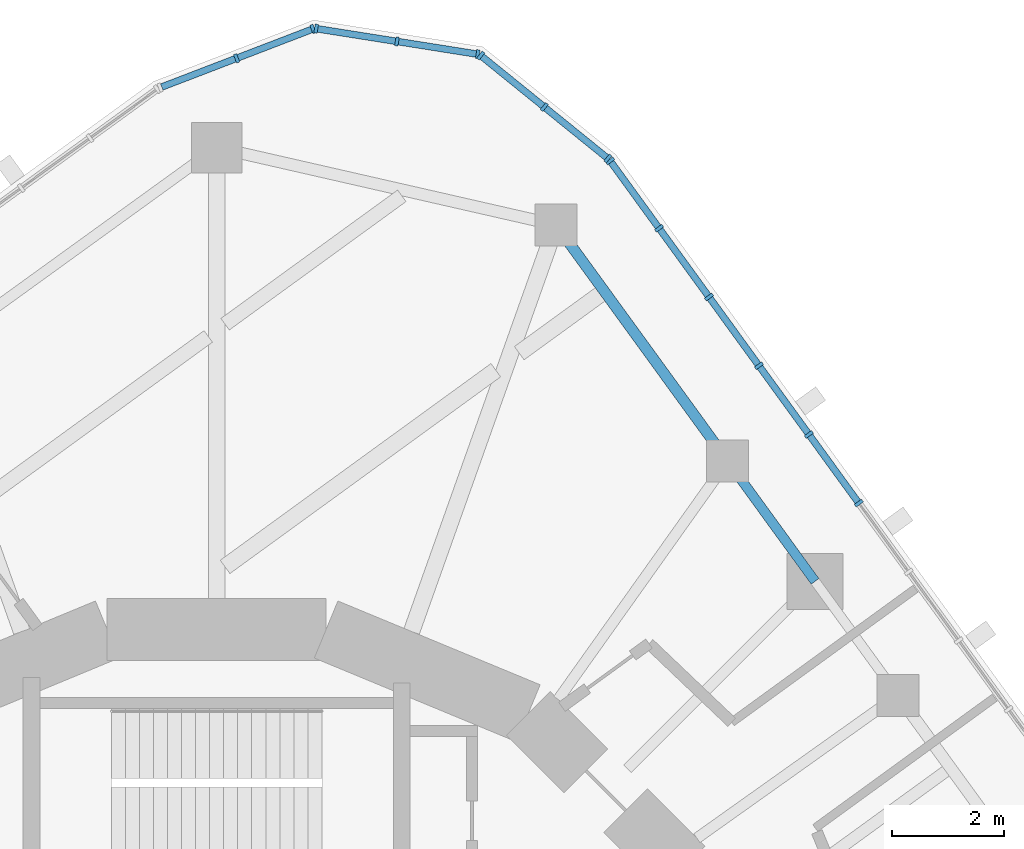
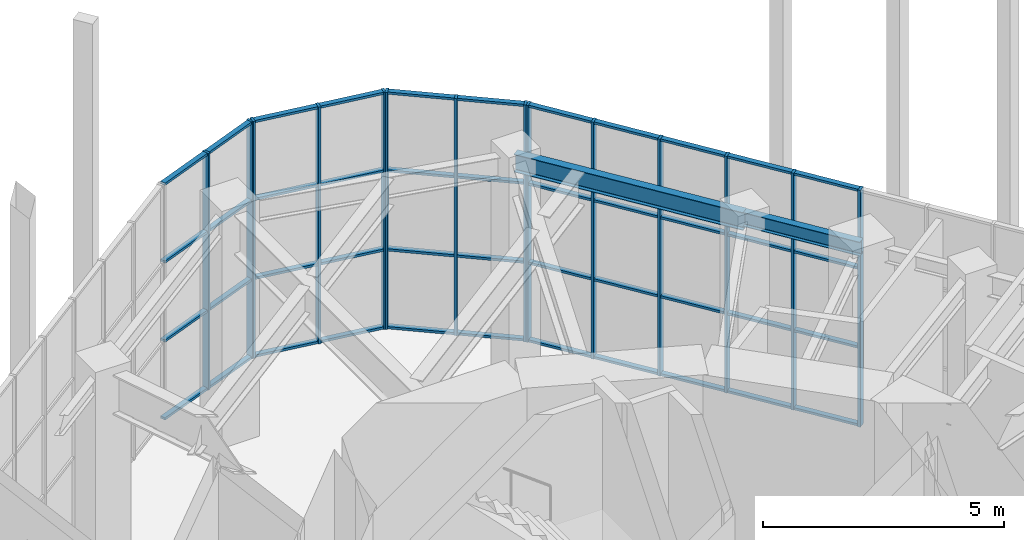
# One storey, part 10 of 17: 58 members, 2 beams, 4 elements without a shape of their own.
"""IFC4 building model written with IfcOpenShell, lengths in metres."""

from ifc_helpers import new_model, si_unit, direction, frame, origin, origin_2d, place, context, subcontext, project, spatial, rectangle, i_section, extrude, material, material_profile, profile_set, type_object, element, aggregate, save


model = new_model("IFC4")

# Units and contexts
model_context = context("Model", 3, precision=1e-05, world=origin(), true_north=direction((0.0, 1.0)))
body_context = subcontext(model_context, "Body", "Model", "MODEL_VIEW")
ifc_project = project(units=[si_unit("LENGTHUNIT", "METRE"), si_unit("AREAUNIT", "SQUARE_METRE"), si_unit("VOLUMEUNIT", "CUBIC_METRE"), si_unit("PLANEANGLEUNIT", "RADIAN"), si_unit("MASSUNIT", "GRAM", prefix="KILO")], contexts=[model_context])

# Site, building, storey
site_placement = place(None, origin())
site = spatial("IfcSite", under=ifc_project, at=site_placement, CompositionType="ELEMENT")
building_placement = place(site_placement, origin())
building = spatial("IfcBuilding", under=site, at=building_placement, Name="Nakasero Lantern House", CompositionType="ELEMENT")
storey_placement = place(building_placement, frame((0.0, 0.0, 298.39990234375)))
storey = spatial("IfcBuildingStorey", under=building, at=storey_placement, Name="L73", CompositionType="ELEMENT", Elevation=298.39990234375)

# Curtain wall, members
ifc_material_1 = material(Name="Aluminium 6063-T6 and glass", Category="aluminium")
curtain_wall_type = type_object("IfcCurtainWallType", Name="Lantern glazing CW-4", PredefinedType="USERDEFINED", material=ifc_material_1)
curtain_wall_1_placement = place(storey_placement, origin())
curtain_wall_1 = element("IfcCurtainWall", 1, at=curtain_wall_1_placement, inside=storey, type_object=curtain_wall_type, Name="Curtain wall CW-4 L73", ObjectType="UNITISED CURTAIN WALL", PredefinedType="USERDEFINED")
ifc_material_2 = material(Name="Aluminium 6063-T6", Category="aluminium")
ifc_material_profile_1 = material_profile(ifc_material_2, rectangle(XDim=0.06005859375, YDim=0.159912109375, at=origin_2d()), Name="CW-4 mullion 60x160")
ifc_profile_set_1 = profile_set([ifc_material_profile_1], Name="Aluminium 6063-T6")
member_type_1 = type_object("IfcMemberType", Name="Mullion CW-4", PredefinedType="MULLION", material=ifc_profile_set_1)
member_1_placement = place(storey_placement, frame((11.447265625, 12.060546875, 0.0), z_axis=(0.0, 0.0, 1.0), x_axis=(-0.587785252292, 0.809016994375, 0.0)))
member_1 = element("IfcMember", 2, at=member_1_placement, type_object=member_type_1, Name="CW-4 mullion 10", PredefinedType="MULLION", context=body_context, shape_type="SweptSolid", body=[
    extrude(rectangle(XDim=0.06005859375, YDim=0.159912109375, at=origin_2d()), origin(), (0.0, 0.0, 1.0), 6.0),
])
member_2_placement = place(storey_placement, frame((10.55712890625, 13.28564453125, 0.0), z_axis=(0.0, 0.0, 1.0), x_axis=(-0.587785252292, 0.809016994375, 0.0)))
member_2 = element("IfcMember", 3, at=member_2_placement, type_object=member_type_1, Name="CW-4 mullion 11", PredefinedType="MULLION", context=body_context, shape_type="SweptSolid", body=[
    extrude(rectangle(XDim=0.06005859375, YDim=0.159912109375, at=origin_2d()), origin(), (0.0, 0.0, 1.0), 6.0),
])
member_3_placement = place(storey_placement, frame((9.667236328125, 14.5107421875, 0.0), z_axis=(0.0, 0.0, 1.0), x_axis=(-0.587785252292, 0.809016994375, 0.0)))
member_3 = element("IfcMember", 4, at=member_3_placement, type_object=member_type_1, Name="CW-4 mullion 12", PredefinedType="MULLION", context=body_context, shape_type="SweptSolid", body=[
    extrude(rectangle(XDim=0.06005859375, YDim=0.159912109375, at=origin_2d()), origin(), (0.0, 0.0, 1.0), 6.0),
])
member_4_placement = place(storey_placement, frame((8.777099609375, 15.735595703125, 0.0), z_axis=(0.0, 0.0, 1.0), x_axis=(-0.587785252292, 0.809016994375, 0.0)))
member_4 = element("IfcMember", 5, at=member_4_placement, type_object=member_type_1, Name="CW-4 mullion 13", PredefinedType="MULLION", context=body_context, shape_type="SweptSolid", body=[
    extrude(rectangle(XDim=0.06005859375, YDim=0.159912109375, at=origin_2d()), origin(), (0.0, 0.0, 1.0), 6.0),
])
member_5_placement = place(storey_placement, frame((7.886962890625, 16.960693359375, 0.0), z_axis=(0.0, 0.0, 1.0), x_axis=(-0.587785252292, 0.809016994375, 0.0)))
member_5 = element("IfcMember", 6, at=member_5_placement, type_object=member_type_1, Name="CW-4 mullion 14", PredefinedType="MULLION", context=body_context, shape_type="SweptSolid", body=[
    extrude(rectangle(XDim=0.06005859375, YDim=0.159912109375, at=origin_2d()), origin(), (0.0, 0.0, 1.0), 6.0),
])
member_6_placement = place(storey_placement, frame((7.0146484375, 18.16162109375, 0.0), z_axis=(0.0, 0.0, 1.0), x_axis=(-0.587785252292, 0.809016994375, 0.0)))
member_6 = element("IfcMember", 7, at=member_6_placement, type_object=member_type_1, Name="CW-4 mullion 15", PredefinedType="MULLION", context=body_context, shape_type="SweptSolid", body=[
    extrude(rectangle(XDim=0.06005859375, YDim=0.159912109375, at=origin_2d()), origin(), (0.0, 0.0, 1.0), 6.0),
])

curtain_wall_2_placement = place(storey_placement, origin())
curtain_wall_2 = element("IfcCurtainWall", 8, at=curtain_wall_2_placement, inside=storey, type_object=curtain_wall_type, Name="Curtain wall CW-4 L73", ObjectType="UNITISED CURTAIN WALL", PredefinedType="USERDEFINED")
member_7_placement = place(storey_placement, frame((6.9736328125, 18.204833984375, 0.0), z_axis=(0.0, 0.0, 1.0), x_axis=(-0.777145961457, 0.62932039105, 0.0)))
member_7 = element("IfcMember", 9, at=member_7_placement, type_object=member_type_1, Name="CW-4 mullion 1", PredefinedType="MULLION", context=body_context, shape_type="SweptSolid", body=[
    extrude(rectangle(XDim=0.06005859375, YDim=0.159912109375, at=origin_2d()), origin(), (0.0, 0.0, 1.0), 6.0),
])
member_8_placement = place(storey_placement, frame((5.84033203125, 19.122314453125, 0.0), z_axis=(0.0, 0.0, 1.0), x_axis=(-0.777145961457, 0.62932039105, 0.0)))
member_8 = element("IfcMember", 10, at=member_8_placement, type_object=member_type_1, Name="CW-4 mullion 2", PredefinedType="MULLION", context=body_context, shape_type="SweptSolid", body=[
    extrude(rectangle(XDim=0.06005859375, YDim=0.159912109375, at=origin_2d()), origin(), (0.0, 0.0, 1.0), 6.0),
])
member_9_placement = place(storey_placement, frame((4.70703125, 20.0400390625, 0.0), z_axis=(0.0, 0.0, 1.0), x_axis=(-0.777145961457, 0.62932039105, 0.0)))
member_9 = element("IfcMember", 11, at=member_9_placement, type_object=member_type_1, Name="CW-4 mullion 3", PredefinedType="MULLION", context=body_context, shape_type="SweptSolid", body=[
    extrude(rectangle(XDim=0.06005859375, YDim=0.159912109375, at=origin_2d()), origin(), (0.0, 0.0, 1.0), 6.0),
])

curtain_wall_3_placement = place(storey_placement, origin())
curtain_wall_3 = element("IfcCurtainWall", 12, at=curtain_wall_3_placement, inside=storey, type_object=curtain_wall_type, Name="Curtain wall CW-4 L73", ObjectType="UNITISED CURTAIN WALL", PredefinedType="USERDEFINED")
member_10_placement = place(storey_placement, frame((4.654052734375, 20.063720703125, 0.0), z_axis=(0.0, 0.0, 1.0), x_axis=(-0.987688340595, 0.15643446504, 0.0)))
member_10 = element("IfcMember", 13, at=member_10_placement, type_object=member_type_1, Name="CW-4 mullion 1", PredefinedType="MULLION", context=body_context, shape_type="SweptSolid", body=[
    extrude(rectangle(XDim=0.06005859375, YDim=0.159912109375, at=origin_2d()), origin(), (0.0, 0.0, 1.0), 6.0),
])
member_11_placement = place(storey_placement, frame((3.2138671875, 20.291748046875, 0.0), z_axis=(0.0, 0.0, 1.0), x_axis=(-0.987688340595, 0.15643446504, 0.0)))
member_11 = element("IfcMember", 14, at=member_11_placement, type_object=member_type_1, Name="CW-4 mullion 2", PredefinedType="MULLION", context=body_context, shape_type="SweptSolid", body=[
    extrude(rectangle(XDim=0.06005859375, YDim=0.159912109375, at=origin_2d()), origin(), (0.0, 0.0, 1.0), 6.0),
])
member_12_placement = place(storey_placement, frame((1.773681640625, 20.52001953125, 0.0), z_axis=(0.0, 0.0, 1.0), x_axis=(-0.987688340595, 0.15643446504, 0.0)))
member_12 = element("IfcMember", 15, at=member_12_placement, type_object=member_type_1, Name="CW-4 mullion 3", PredefinedType="MULLION", context=body_context, shape_type="SweptSolid", body=[
    extrude(rectangle(XDim=0.06005859375, YDim=0.159912109375, at=origin_2d()), origin(), (0.0, 0.0, 1.0), 6.0),
])

curtain_wall_4_placement = place(storey_placement, origin())
curtain_wall_4 = element("IfcCurtainWall", 16, at=curtain_wall_4_placement, inside=storey, type_object=curtain_wall_type, Name="Curtain wall CW-4 L73", ObjectType="UNITISED CURTAIN WALL", PredefinedType="USERDEFINED")
member_13_placement = place(storey_placement, frame((1.716064453125, 20.513916015625, 0.0), z_axis=(0.0, 0.0, 1.0), x_axis=(-0.933580426497, -0.358367949545, 0.0)))
member_13 = element("IfcMember", 17, at=member_13_placement, type_object=member_type_1, Name="CW-4 mullion 1", PredefinedType="MULLION", context=body_context, shape_type="SweptSolid", body=[
    extrude(rectangle(XDim=0.06005859375, YDim=0.159912109375, at=origin_2d()), origin(), (0.0, 0.0, 1.0), 6.0),
])
member_14_placement = place(storey_placement, frame((0.354736328125, 19.9912109375, 0.0), z_axis=(0.0, 0.0, 1.0), x_axis=(-0.933580426497, -0.358367949545, 0.0)))
member_14 = element("IfcMember", 18, at=member_14_placement, type_object=member_type_1, Name="CW-4 mullion 2", PredefinedType="MULLION", context=body_context, shape_type="SweptSolid", body=[
    extrude(rectangle(XDim=0.06005859375, YDim=0.159912109375, at=origin_2d()), origin(), (0.0, 0.0, 1.0), 6.0),
])

# Beams
ifc_material_3 = material(Name="Steel S355", Category="steel")
ifc_material_profile_2 = material_profile(ifc_material_3, i_section(OverallWidth=0.17138671875, OverallDepth=0.35498046875, WebThickness=0.00732421875, FlangeThickness=0.011474609375, FilletRadius=0.01025390625, at=origin_2d()), Name="UB 356x171x51")
ifc_profile_set_2 = profile_set([ifc_material_profile_2], Name="Steel S355")
beam_type_1 = type_object("IfcBeamType", Name="Ring beam UB 356x171x51", PredefinedType="BEAM", material=ifc_profile_set_2)
beam_1_placement = place(storey_placement, frame((10.667236328125, 10.667236328125, 5.62255859375), z_axis=(-0.587782635143, 0.809018895839, 0.0), x_axis=(-0.809018895839, -0.587782635143, 0.0)))
element("IfcBeam", 19, at=beam_1_placement, inside=storey, type_object=beam_type_1, Name="Ring beam L74 B7-C06", PredefinedType="BEAM", context=body_context, shape_type="SweptSolid", body=[
    extrude(i_section(OverallWidth=0.17138671875, OverallDepth=0.35498046875, WebThickness=0.00732421875, FlangeThickness=0.011474609375, FilletRadius=0.01025390625, at=origin_2d()), origin(), (0.0, 0.0, 1.0), 2.649658203125),
])
ifc_material_4 = material(Name="Steel S355", Category="steel")
ifc_material_profile_3 = material_profile(ifc_material_4, i_section(OverallWidth=0.18994140625, OverallDepth=0.453369140625, WebThickness=0.008544921875, FlangeThickness=0.0126953125, FilletRadius=0.01025390625, at=origin_2d()), Name="UB 457x191x67")
ifc_profile_set_3 = profile_set([ifc_material_profile_3], Name="Steel S355")
beam_type_2 = type_object("IfcBeamType", Name="Ring beam UB 457x191x67", PredefinedType="BEAM", material=ifc_profile_set_3)
beam_2_placement = place(storey_placement, frame((9.10986328125, 12.810791015625, 5.573486328125), z_axis=(-0.587806144414, 0.809001814948, 0.0), x_axis=(-0.809001814948, -0.587806144414, 0.0)))
element("IfcBeam", 20, at=beam_2_placement, inside=storey, type_object=beam_type_2, Name="Ring beam L74 B7-C07", PredefinedType="BEAM", context=body_context, shape_type="SweptSolid", body=[
    extrude(i_section(OverallWidth=0.18994140625, OverallDepth=0.453369140625, WebThickness=0.008544921875, FlangeThickness=0.0126953125, FilletRadius=0.01025390625, at=origin_2d()), origin(), (0.0, 0.0, 1.0), 5.202880859375),
])

# Member
ifc_material_5 = material(Name="Aluminium 6063-T6", Category="aluminium")
ifc_material_profile_4 = material_profile(ifc_material_5, rectangle(XDim=0.06005859375, YDim=0.1201171875, at=origin_2d()), Name="CW-4 transom 60x120")
ifc_profile_set_4 = profile_set([ifc_material_profile_4], Name="Aluminium 6063-T6")
member_type_2 = type_object("IfcMemberType", Name="Transom CW-4", PredefinedType="USERDEFINED", material=ifc_profile_set_4)
member_15_placement = place(storey_placement, frame((11.4296875, 12.084716796875, 0.030029296875), z_axis=(-0.587762348068, 0.809033634773, 0.0), x_axis=(0.0, 0.0, 1.0)))
member_15 = element("IfcMember", 21, at=member_15_placement, type_object=member_type_2, Name="CW-4 transom 10.1", ObjectType="TRANSOM", PredefinedType="USERDEFINED", context=body_context, shape_type="SweptSolid", body=[
    extrude(rectangle(XDim=0.06005859375, YDim=0.1201171875, at=origin_2d()), origin(), (0.0, 0.0, 1.0), 1.4541015625),
])

member_16_placement = place(storey_placement, frame((11.4296875, 12.084716796875, 2.0), z_axis=(-0.587762348068, 0.809033634773, 0.0), x_axis=(0.0, 0.0, 1.0)))
member_16 = element("IfcMember", 22, at=member_16_placement, type_object=member_type_2, Name="CW-4 transom 10.2", ObjectType="TRANSOM", PredefinedType="USERDEFINED", context=body_context, shape_type="SweptSolid", body=[
    extrude(rectangle(XDim=0.06005859375, YDim=0.1201171875, at=origin_2d()), origin(), (0.0, 0.0, 1.0), 1.4541015625),
])

member_17_placement = place(storey_placement, frame((11.4296875, 12.084716796875, 4.0), z_axis=(-0.587762348068, 0.809033634773, 0.0), x_axis=(0.0, 0.0, 1.0)))
member_17 = element("IfcMember", 23, at=member_17_placement, type_object=member_type_2, Name="CW-4 transom 10.3", ObjectType="TRANSOM", PredefinedType="USERDEFINED", context=body_context, shape_type="SweptSolid", body=[
    extrude(rectangle(XDim=0.06005859375, YDim=0.1201171875, at=origin_2d()), origin(), (0.0, 0.0, 1.0), 1.4541015625),
])

member_18_placement = place(storey_placement, frame((11.4296875, 12.084716796875, 5.97021484375), z_axis=(-0.587762348068, 0.809033634773, 0.0), x_axis=(0.0, 0.0, 1.0)))
member_18 = element("IfcMember", 24, at=member_18_placement, type_object=member_type_2, Name="CW-4 transom 10.4", ObjectType="TRANSOM", PredefinedType="USERDEFINED", context=body_context, shape_type="SweptSolid", body=[
    extrude(rectangle(XDim=0.06005859375, YDim=0.1201171875, at=origin_2d()), origin(), (0.0, 0.0, 1.0), 1.4541015625),
])

member_19_placement = place(storey_placement, frame((10.53955078125, 13.309814453125, 0.030029296875), z_axis=(-0.587762348068, 0.809033634773, 0.0), x_axis=(0.0, 0.0, 1.0)))
member_19 = element("IfcMember", 25, at=member_19_placement, type_object=member_type_2, Name="CW-4 transom 11.1", ObjectType="TRANSOM", PredefinedType="USERDEFINED", context=body_context, shape_type="SweptSolid", body=[
    extrude(rectangle(XDim=0.06005859375, YDim=0.1201171875, at=origin_2d()), origin(), (0.0, 0.0, 1.0), 1.4541015625),
])

member_20_placement = place(storey_placement, frame((10.53955078125, 13.309814453125, 2.0), z_axis=(-0.587762348068, 0.809033634773, 0.0), x_axis=(0.0, 0.0, 1.0)))
member_20 = element("IfcMember", 26, at=member_20_placement, type_object=member_type_2, Name="CW-4 transom 11.2", ObjectType="TRANSOM", PredefinedType="USERDEFINED", context=body_context, shape_type="SweptSolid", body=[
    extrude(rectangle(XDim=0.06005859375, YDim=0.1201171875, at=origin_2d()), origin(), (0.0, 0.0, 1.0), 1.4541015625),
])

member_21_placement = place(storey_placement, frame((10.53955078125, 13.309814453125, 4.0), z_axis=(-0.587762348068, 0.809033634773, 0.0), x_axis=(0.0, 0.0, 1.0)))
member_21 = element("IfcMember", 27, at=member_21_placement, type_object=member_type_2, Name="CW-4 transom 11.3", ObjectType="TRANSOM", PredefinedType="USERDEFINED", context=body_context, shape_type="SweptSolid", body=[
    extrude(rectangle(XDim=0.06005859375, YDim=0.1201171875, at=origin_2d()), origin(), (0.0, 0.0, 1.0), 1.4541015625),
])

member_22_placement = place(storey_placement, frame((10.53955078125, 13.309814453125, 5.97021484375), z_axis=(-0.587762348068, 0.809033634773, 0.0), x_axis=(0.0, 0.0, 1.0)))
member_22 = element("IfcMember", 28, at=member_22_placement, type_object=member_type_2, Name="CW-4 transom 11.4", ObjectType="TRANSOM", PredefinedType="USERDEFINED", context=body_context, shape_type="SweptSolid", body=[
    extrude(rectangle(XDim=0.06005859375, YDim=0.1201171875, at=origin_2d()), origin(), (0.0, 0.0, 1.0), 1.4541015625),
])

member_23_placement = place(storey_placement, frame((9.6494140625, 14.534912109375, 0.030029296875), z_axis=(-0.587762348068, 0.809033634773, 0.0), x_axis=(0.0, 0.0, 1.0)))
member_23 = element("IfcMember", 29, at=member_23_placement, type_object=member_type_2, Name="CW-4 transom 12.1", ObjectType="TRANSOM", PredefinedType="USERDEFINED", context=body_context, shape_type="SweptSolid", body=[
    extrude(rectangle(XDim=0.06005859375, YDim=0.1201171875, at=origin_2d()), origin(), (0.0, 0.0, 1.0), 1.4541015625),
])

member_24_placement = place(storey_placement, frame((9.6494140625, 14.534912109375, 2.0), z_axis=(-0.587762348068, 0.809033634773, 0.0), x_axis=(0.0, 0.0, 1.0)))
member_24 = element("IfcMember", 30, at=member_24_placement, type_object=member_type_2, Name="CW-4 transom 12.2", ObjectType="TRANSOM", PredefinedType="USERDEFINED", context=body_context, shape_type="SweptSolid", body=[
    extrude(rectangle(XDim=0.06005859375, YDim=0.1201171875, at=origin_2d()), origin(), (0.0, 0.0, 1.0), 1.4541015625),
])

member_25_placement = place(storey_placement, frame((9.6494140625, 14.534912109375, 4.0), z_axis=(-0.587762348068, 0.809033634773, 0.0), x_axis=(0.0, 0.0, 1.0)))
member_25 = element("IfcMember", 31, at=member_25_placement, type_object=member_type_2, Name="CW-4 transom 12.3", ObjectType="TRANSOM", PredefinedType="USERDEFINED", context=body_context, shape_type="SweptSolid", body=[
    extrude(rectangle(XDim=0.06005859375, YDim=0.1201171875, at=origin_2d()), origin(), (0.0, 0.0, 1.0), 1.4541015625),
])

member_26_placement = place(storey_placement, frame((9.6494140625, 14.534912109375, 5.97021484375), z_axis=(-0.587762348068, 0.809033634773, 0.0), x_axis=(0.0, 0.0, 1.0)))
member_26 = element("IfcMember", 32, at=member_26_placement, type_object=member_type_2, Name="CW-4 transom 12.4", ObjectType="TRANSOM", PredefinedType="USERDEFINED", context=body_context, shape_type="SweptSolid", body=[
    extrude(rectangle(XDim=0.06005859375, YDim=0.1201171875, at=origin_2d()), origin(), (0.0, 0.0, 1.0), 1.4541015625),
])

member_27_placement = place(storey_placement, frame((8.759521484375, 15.760009765625, 0.030029296875), z_axis=(-0.587872217916, 0.808953803009, 0.0), x_axis=(0.0, 0.0, 1.0)))
member_27 = element("IfcMember", 33, at=member_27_placement, type_object=member_type_2, Name="CW-4 transom 13.1", ObjectType="TRANSOM", PredefinedType="USERDEFINED", context=body_context, shape_type="SweptSolid", body=[
    extrude(rectangle(XDim=0.06005859375, YDim=0.1201171875, at=origin_2d()), origin(), (0.0, 0.0, 1.0), 1.454345703125),
])

member_28_placement = place(storey_placement, frame((8.759521484375, 15.760009765625, 2.0), z_axis=(-0.587872217916, 0.808953803009, 0.0), x_axis=(0.0, 0.0, 1.0)))
member_28 = element("IfcMember", 34, at=member_28_placement, type_object=member_type_2, Name="CW-4 transom 13.2", ObjectType="TRANSOM", PredefinedType="USERDEFINED", context=body_context, shape_type="SweptSolid", body=[
    extrude(rectangle(XDim=0.06005859375, YDim=0.1201171875, at=origin_2d()), origin(), (0.0, 0.0, 1.0), 1.454345703125),
])

member_29_placement = place(storey_placement, frame((8.759521484375, 15.760009765625, 4.0), z_axis=(-0.587872217916, 0.808953803009, 0.0), x_axis=(0.0, 0.0, 1.0)))
member_29 = element("IfcMember", 35, at=member_29_placement, type_object=member_type_2, Name="CW-4 transom 13.3", ObjectType="TRANSOM", PredefinedType="USERDEFINED", context=body_context, shape_type="SweptSolid", body=[
    extrude(rectangle(XDim=0.06005859375, YDim=0.1201171875, at=origin_2d()), origin(), (0.0, 0.0, 1.0), 1.454345703125),
])

member_30_placement = place(storey_placement, frame((8.759521484375, 15.760009765625, 5.97021484375), z_axis=(-0.587872217916, 0.808953803009, 0.0), x_axis=(0.0, 0.0, 1.0)))
member_30 = element("IfcMember", 36, at=member_30_placement, type_object=member_type_2, Name="CW-4 transom 13.4", ObjectType="TRANSOM", PredefinedType="USERDEFINED", context=body_context, shape_type="SweptSolid", body=[
    extrude(rectangle(XDim=0.06005859375, YDim=0.1201171875, at=origin_2d()), origin(), (0.0, 0.0, 1.0), 1.454345703125),
])

member_31_placement = place(storey_placement, frame((7.869384765625, 16.985107421875, 0.030029296875), z_axis=(-0.587835272309, 0.808980650343, 0.0), x_axis=(0.0, 0.0, 1.0)))
member_31 = element("IfcMember", 37, at=member_31_placement, type_object=member_type_2, Name="CW-4 transom 14.1", ObjectType="TRANSOM", PredefinedType="USERDEFINED", context=body_context, shape_type="SweptSolid", body=[
    extrude(rectangle(XDim=0.06005859375, YDim=0.1201171875, at=origin_2d()), origin(), (0.0, 0.0, 1.0), 1.424072265625),
])

member_32_placement = place(storey_placement, frame((7.869384765625, 16.985107421875, 2.0), z_axis=(-0.587835272309, 0.808980650343, 0.0), x_axis=(0.0, 0.0, 1.0)))
member_32 = element("IfcMember", 38, at=member_32_placement, type_object=member_type_2, Name="CW-4 transom 14.2", ObjectType="TRANSOM", PredefinedType="USERDEFINED", context=body_context, shape_type="SweptSolid", body=[
    extrude(rectangle(XDim=0.06005859375, YDim=0.1201171875, at=origin_2d()), origin(), (0.0, 0.0, 1.0), 1.424072265625),
])

member_33_placement = place(storey_placement, frame((7.869384765625, 16.985107421875, 4.0), z_axis=(-0.587835272309, 0.808980650343, 0.0), x_axis=(0.0, 0.0, 1.0)))
member_33 = element("IfcMember", 39, at=member_33_placement, type_object=member_type_2, Name="CW-4 transom 14.3", ObjectType="TRANSOM", PredefinedType="USERDEFINED", context=body_context, shape_type="SweptSolid", body=[
    extrude(rectangle(XDim=0.06005859375, YDim=0.1201171875, at=origin_2d()), origin(), (0.0, 0.0, 1.0), 1.424072265625),
])

member_34_placement = place(storey_placement, frame((7.869384765625, 16.985107421875, 5.97021484375), z_axis=(-0.587835272309, 0.808980650343, 0.0), x_axis=(0.0, 0.0, 1.0)))
member_34 = element("IfcMember", 40, at=member_34_placement, type_object=member_type_2, Name="CW-4 transom 14.4", ObjectType="TRANSOM", PredefinedType="USERDEFINED", context=body_context, shape_type="SweptSolid", body=[
    extrude(rectangle(XDim=0.06005859375, YDim=0.1201171875, at=origin_2d()), origin(), (0.0, 0.0, 1.0), 1.424072265625),
])

aggregate(curtain_wall_1, [member_1, member_2, member_3, member_4, member_5, member_6, member_15, member_16, member_17, member_18, member_19, member_20, member_21, member_22, member_23, member_24, member_25, member_26, member_27, member_28, member_29, member_30, member_31, member_32, member_33, member_34])

member_35_placement = place(storey_placement, frame((6.9501953125, 18.2236328125, 0.030029296875), z_axis=(-0.777106582707, 0.629369016646, 0.0), x_axis=(0.0, 0.0, 1.0)))
member_35 = element("IfcMember", 41, at=member_35_placement, type_object=member_type_2, Name="CW-4 transom 1.1", ObjectType="TRANSOM", PredefinedType="USERDEFINED", context=body_context, shape_type="SweptSolid", body=[
    extrude(rectangle(XDim=0.06005859375, YDim=0.1201171875, at=origin_2d()), origin(), (0.0, 0.0, 1.0), 1.39794921875),
])

member_36_placement = place(storey_placement, frame((6.9501953125, 18.2236328125, 2.0), z_axis=(-0.777106582707, 0.629369016646, 0.0), x_axis=(0.0, 0.0, 1.0)))
member_36 = element("IfcMember", 42, at=member_36_placement, type_object=member_type_2, Name="CW-4 transom 1.2", ObjectType="TRANSOM", PredefinedType="USERDEFINED", context=body_context, shape_type="SweptSolid", body=[
    extrude(rectangle(XDim=0.06005859375, YDim=0.1201171875, at=origin_2d()), origin(), (0.0, 0.0, 1.0), 1.39794921875),
])

member_37_placement = place(storey_placement, frame((6.9501953125, 18.2236328125, 4.0), z_axis=(-0.777106582707, 0.629369016646, 0.0), x_axis=(0.0, 0.0, 1.0)))
member_37 = element("IfcMember", 43, at=member_37_placement, type_object=member_type_2, Name="CW-4 transom 1.3", ObjectType="TRANSOM", PredefinedType="USERDEFINED", context=body_context, shape_type="SweptSolid", body=[
    extrude(rectangle(XDim=0.06005859375, YDim=0.1201171875, at=origin_2d()), origin(), (0.0, 0.0, 1.0), 1.39794921875),
])

member_38_placement = place(storey_placement, frame((6.9501953125, 18.2236328125, 5.97021484375), z_axis=(-0.777106582707, 0.629369016646, 0.0), x_axis=(0.0, 0.0, 1.0)))
member_38 = element("IfcMember", 44, at=member_38_placement, type_object=member_type_2, Name="CW-4 transom 1.4", ObjectType="TRANSOM", PredefinedType="USERDEFINED", context=body_context, shape_type="SweptSolid", body=[
    extrude(rectangle(XDim=0.06005859375, YDim=0.1201171875, at=origin_2d()), origin(), (0.0, 0.0, 1.0), 1.39794921875),
])

member_39_placement = place(storey_placement, frame((5.817138671875, 19.141357421875, 0.030029296875), z_axis=(-0.777175740781, 0.629283614868, 0.0), x_axis=(0.0, 0.0, 1.0)))
member_39 = element("IfcMember", 45, at=member_39_placement, type_object=member_type_2, Name="CW-4 transom 2.1", ObjectType="TRANSOM", PredefinedType="USERDEFINED", context=body_context, shape_type="SweptSolid", body=[
    extrude(rectangle(XDim=0.06005859375, YDim=0.1201171875, at=origin_2d()), origin(), (0.0, 0.0, 1.0), 1.398193359375),
])

member_40_placement = place(storey_placement, frame((5.817138671875, 19.141357421875, 2.0), z_axis=(-0.777175740781, 0.629283614868, 0.0), x_axis=(0.0, 0.0, 1.0)))
member_40 = element("IfcMember", 46, at=member_40_placement, type_object=member_type_2, Name="CW-4 transom 2.2", ObjectType="TRANSOM", PredefinedType="USERDEFINED", context=body_context, shape_type="SweptSolid", body=[
    extrude(rectangle(XDim=0.06005859375, YDim=0.1201171875, at=origin_2d()), origin(), (0.0, 0.0, 1.0), 1.398193359375),
])

member_41_placement = place(storey_placement, frame((5.817138671875, 19.141357421875, 4.0), z_axis=(-0.777175740781, 0.629283614868, 0.0), x_axis=(0.0, 0.0, 1.0)))
member_41 = element("IfcMember", 47, at=member_41_placement, type_object=member_type_2, Name="CW-4 transom 2.3", ObjectType="TRANSOM", PredefinedType="USERDEFINED", context=body_context, shape_type="SweptSolid", body=[
    extrude(rectangle(XDim=0.06005859375, YDim=0.1201171875, at=origin_2d()), origin(), (0.0, 0.0, 1.0), 1.398193359375),
])

member_42_placement = place(storey_placement, frame((5.817138671875, 19.141357421875, 5.97021484375), z_axis=(-0.777175740781, 0.629283614868, 0.0), x_axis=(0.0, 0.0, 1.0)))
member_42 = element("IfcMember", 48, at=member_42_placement, type_object=member_type_2, Name="CW-4 transom 2.4", ObjectType="TRANSOM", PredefinedType="USERDEFINED", context=body_context, shape_type="SweptSolid", body=[
    extrude(rectangle(XDim=0.06005859375, YDim=0.1201171875, at=origin_2d()), origin(), (0.0, 0.0, 1.0), 1.398193359375),
])

aggregate(curtain_wall_2, [member_7, member_8, member_9, member_35, member_36, member_37, member_38, member_39, member_40, member_41, member_42])

member_43_placement = place(storey_placement, frame((4.62451171875, 20.068359375, 0.030029296875), z_axis=(-0.987683548127, 0.156464720495, 0.0), x_axis=(0.0, 0.0, 1.0)))
member_43 = element("IfcMember", 49, at=member_43_placement, type_object=member_type_2, Name="CW-4 transom 1.1", ObjectType="TRANSOM", PredefinedType="USERDEFINED", context=body_context, shape_type="SweptSolid", body=[
    extrude(rectangle(XDim=0.06005859375, YDim=0.1201171875, at=origin_2d()), origin(), (0.0, 0.0, 1.0), 1.398193359375),
])

member_44_placement = place(storey_placement, frame((4.62451171875, 20.068359375, 2.0), z_axis=(-0.987683548127, 0.156464720495, 0.0), x_axis=(0.0, 0.0, 1.0)))
member_44 = element("IfcMember", 50, at=member_44_placement, type_object=member_type_2, Name="CW-4 transom 1.2", ObjectType="TRANSOM", PredefinedType="USERDEFINED", context=body_context, shape_type="SweptSolid", body=[
    extrude(rectangle(XDim=0.06005859375, YDim=0.1201171875, at=origin_2d()), origin(), (0.0, 0.0, 1.0), 1.398193359375),
])

member_45_placement = place(storey_placement, frame((4.62451171875, 20.068359375, 4.0), z_axis=(-0.987683548127, 0.156464720495, 0.0), x_axis=(0.0, 0.0, 1.0)))
member_45 = element("IfcMember", 51, at=member_45_placement, type_object=member_type_2, Name="CW-4 transom 1.3", ObjectType="TRANSOM", PredefinedType="USERDEFINED", context=body_context, shape_type="SweptSolid", body=[
    extrude(rectangle(XDim=0.06005859375, YDim=0.1201171875, at=origin_2d()), origin(), (0.0, 0.0, 1.0), 1.398193359375),
])

member_46_placement = place(storey_placement, frame((4.62451171875, 20.068359375, 5.97021484375), z_axis=(-0.987683548127, 0.156464720495, 0.0), x_axis=(0.0, 0.0, 1.0)))
member_46 = element("IfcMember", 52, at=member_46_placement, type_object=member_type_2, Name="CW-4 transom 1.4", ObjectType="TRANSOM", PredefinedType="USERDEFINED", context=body_context, shape_type="SweptSolid", body=[
    extrude(rectangle(XDim=0.06005859375, YDim=0.1201171875, at=origin_2d()), origin(), (0.0, 0.0, 1.0), 1.398193359375),
])

member_47_placement = place(storey_placement, frame((3.184326171875, 20.29638671875, 0.030029296875), z_axis=(-0.987687822072, 0.156437738833, 0.0), x_axis=(0.0, 0.0, 1.0)))
member_47 = element("IfcMember", 53, at=member_47_placement, type_object=member_type_2, Name="CW-4 transom 2.1", ObjectType="TRANSOM", PredefinedType="USERDEFINED", context=body_context, shape_type="SweptSolid", body=[
    extrude(rectangle(XDim=0.06005859375, YDim=0.1201171875, at=origin_2d()), origin(), (0.0, 0.0, 1.0), 1.3984375),
])

member_48_placement = place(storey_placement, frame((3.184326171875, 20.29638671875, 2.0), z_axis=(-0.987687822072, 0.156437738833, 0.0), x_axis=(0.0, 0.0, 1.0)))
member_48 = element("IfcMember", 54, at=member_48_placement, type_object=member_type_2, Name="CW-4 transom 2.2", ObjectType="TRANSOM", PredefinedType="USERDEFINED", context=body_context, shape_type="SweptSolid", body=[
    extrude(rectangle(XDim=0.06005859375, YDim=0.1201171875, at=origin_2d()), origin(), (0.0, 0.0, 1.0), 1.3984375),
])

member_49_placement = place(storey_placement, frame((3.184326171875, 20.29638671875, 4.0), z_axis=(-0.987687822072, 0.156437738833, 0.0), x_axis=(0.0, 0.0, 1.0)))
member_49 = element("IfcMember", 55, at=member_49_placement, type_object=member_type_2, Name="CW-4 transom 2.3", ObjectType="TRANSOM", PredefinedType="USERDEFINED", context=body_context, shape_type="SweptSolid", body=[
    extrude(rectangle(XDim=0.06005859375, YDim=0.1201171875, at=origin_2d()), origin(), (0.0, 0.0, 1.0), 1.3984375),
])

member_50_placement = place(storey_placement, frame((3.184326171875, 20.29638671875, 5.97021484375), z_axis=(-0.987687822072, 0.156437738833, 0.0), x_axis=(0.0, 0.0, 1.0)))
member_50 = element("IfcMember", 56, at=member_50_placement, type_object=member_type_2, Name="CW-4 transom 2.4", ObjectType="TRANSOM", PredefinedType="USERDEFINED", context=body_context, shape_type="SweptSolid", body=[
    extrude(rectangle(XDim=0.06005859375, YDim=0.1201171875, at=origin_2d()), origin(), (0.0, 0.0, 1.0), 1.3984375),
])

aggregate(curtain_wall_3, [member_10, member_11, member_12, member_43, member_44, member_45, member_46, member_47, member_48, member_49, member_50])

member_51_placement = place(storey_placement, frame((1.68798828125, 20.503173828125, 0.030029296875), z_axis=(-0.933552443557, -0.358440839092, 0.0), x_axis=(0.0, 0.0, 1.0)))
member_51 = element("IfcMember", 57, at=member_51_placement, type_object=member_type_2, Name="CW-4 transom 1.1", ObjectType="TRANSOM", PredefinedType="USERDEFINED", context=body_context, shape_type="SweptSolid", body=[
    extrude(rectangle(XDim=0.06005859375, YDim=0.1201171875, at=origin_2d()), origin(), (0.0, 0.0, 1.0), 1.3984375),
])

member_52_placement = place(storey_placement, frame((1.68798828125, 20.503173828125, 2.0), z_axis=(-0.933552443557, -0.358440839092, 0.0), x_axis=(0.0, 0.0, 1.0)))
member_52 = element("IfcMember", 58, at=member_52_placement, type_object=member_type_2, Name="CW-4 transom 1.2", ObjectType="TRANSOM", PredefinedType="USERDEFINED", context=body_context, shape_type="SweptSolid", body=[
    extrude(rectangle(XDim=0.06005859375, YDim=0.1201171875, at=origin_2d()), origin(), (0.0, 0.0, 1.0), 1.3984375),
])

member_53_placement = place(storey_placement, frame((1.68798828125, 20.503173828125, 4.0), z_axis=(-0.933552443557, -0.358440839092, 0.0), x_axis=(0.0, 0.0, 1.0)))
member_53 = element("IfcMember", 59, at=member_53_placement, type_object=member_type_2, Name="CW-4 transom 1.3", ObjectType="TRANSOM", PredefinedType="USERDEFINED", context=body_context, shape_type="SweptSolid", body=[
    extrude(rectangle(XDim=0.06005859375, YDim=0.1201171875, at=origin_2d()), origin(), (0.0, 0.0, 1.0), 1.3984375),
])

member_54_placement = place(storey_placement, frame((1.68798828125, 20.503173828125, 5.97021484375), z_axis=(-0.933552443557, -0.358440839092, 0.0), x_axis=(0.0, 0.0, 1.0)))
member_54 = element("IfcMember", 60, at=member_54_placement, type_object=member_type_2, Name="CW-4 transom 1.4", ObjectType="TRANSOM", PredefinedType="USERDEFINED", context=body_context, shape_type="SweptSolid", body=[
    extrude(rectangle(XDim=0.06005859375, YDim=0.1201171875, at=origin_2d()), origin(), (0.0, 0.0, 1.0), 1.3984375),
])

member_55_placement = place(storey_placement, frame((0.32666015625, 19.98046875, 0.030029296875), z_axis=(-0.93361085793, -0.35828866289, 0.0), x_axis=(0.0, 0.0, 1.0)))
member_55 = element("IfcMember", 61, at=member_55_placement, type_object=member_type_2, Name="CW-4 transom 2.1", ObjectType="TRANSOM", PredefinedType="USERDEFINED", context=body_context, shape_type="SweptSolid", body=[
    extrude(rectangle(XDim=0.06005859375, YDim=0.1201171875, at=origin_2d()), origin(), (0.0, 0.0, 1.0), 1.398193359375),
])

member_56_placement = place(storey_placement, frame((0.32666015625, 19.98046875, 2.0), z_axis=(-0.93361085793, -0.35828866289, 0.0), x_axis=(0.0, 0.0, 1.0)))
member_56 = element("IfcMember", 62, at=member_56_placement, type_object=member_type_2, Name="CW-4 transom 2.2", ObjectType="TRANSOM", PredefinedType="USERDEFINED", context=body_context, shape_type="SweptSolid", body=[
    extrude(rectangle(XDim=0.06005859375, YDim=0.1201171875, at=origin_2d()), origin(), (0.0, 0.0, 1.0), 1.398193359375),
])

member_57_placement = place(storey_placement, frame((0.32666015625, 19.98046875, 4.0), z_axis=(-0.93361085793, -0.35828866289, 0.0), x_axis=(0.0, 0.0, 1.0)))
member_57 = element("IfcMember", 63, at=member_57_placement, type_object=member_type_2, Name="CW-4 transom 2.3", ObjectType="TRANSOM", PredefinedType="USERDEFINED", context=body_context, shape_type="SweptSolid", body=[
    extrude(rectangle(XDim=0.06005859375, YDim=0.1201171875, at=origin_2d()), origin(), (0.0, 0.0, 1.0), 1.398193359375),
])

member_58_placement = place(storey_placement, frame((0.32666015625, 19.98046875, 5.97021484375), z_axis=(-0.93361085793, -0.35828866289, 0.0), x_axis=(0.0, 0.0, 1.0)))
member_58 = element("IfcMember", 64, at=member_58_placement, type_object=member_type_2, Name="CW-4 transom 2.4", ObjectType="TRANSOM", PredefinedType="USERDEFINED", context=body_context, shape_type="SweptSolid", body=[
    extrude(rectangle(XDim=0.06005859375, YDim=0.1201171875, at=origin_2d()), origin(), (0.0, 0.0, 1.0), 1.398193359375),
])

aggregate(curtain_wall_4, [member_13, member_14, member_51, member_52, member_53, member_54, member_55, member_56, member_57, member_58])

save(model, "model.ifc")
